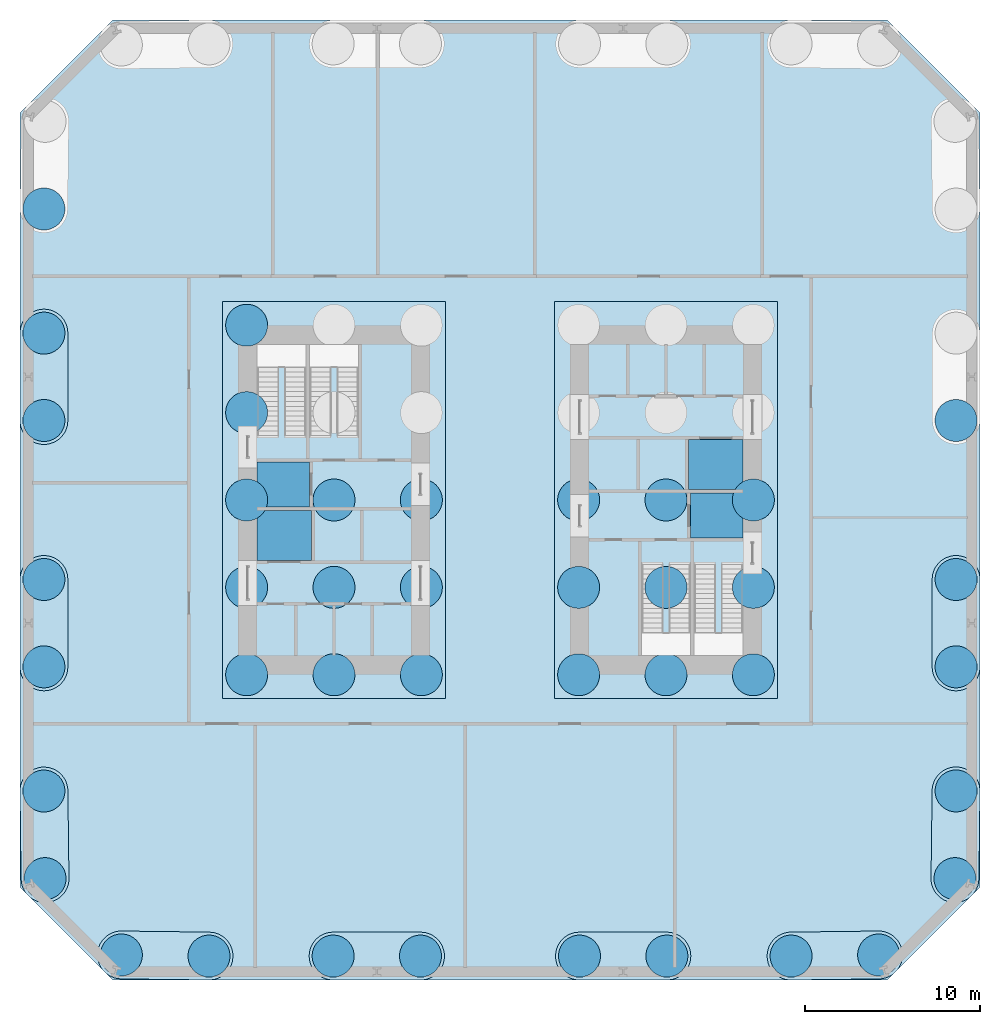
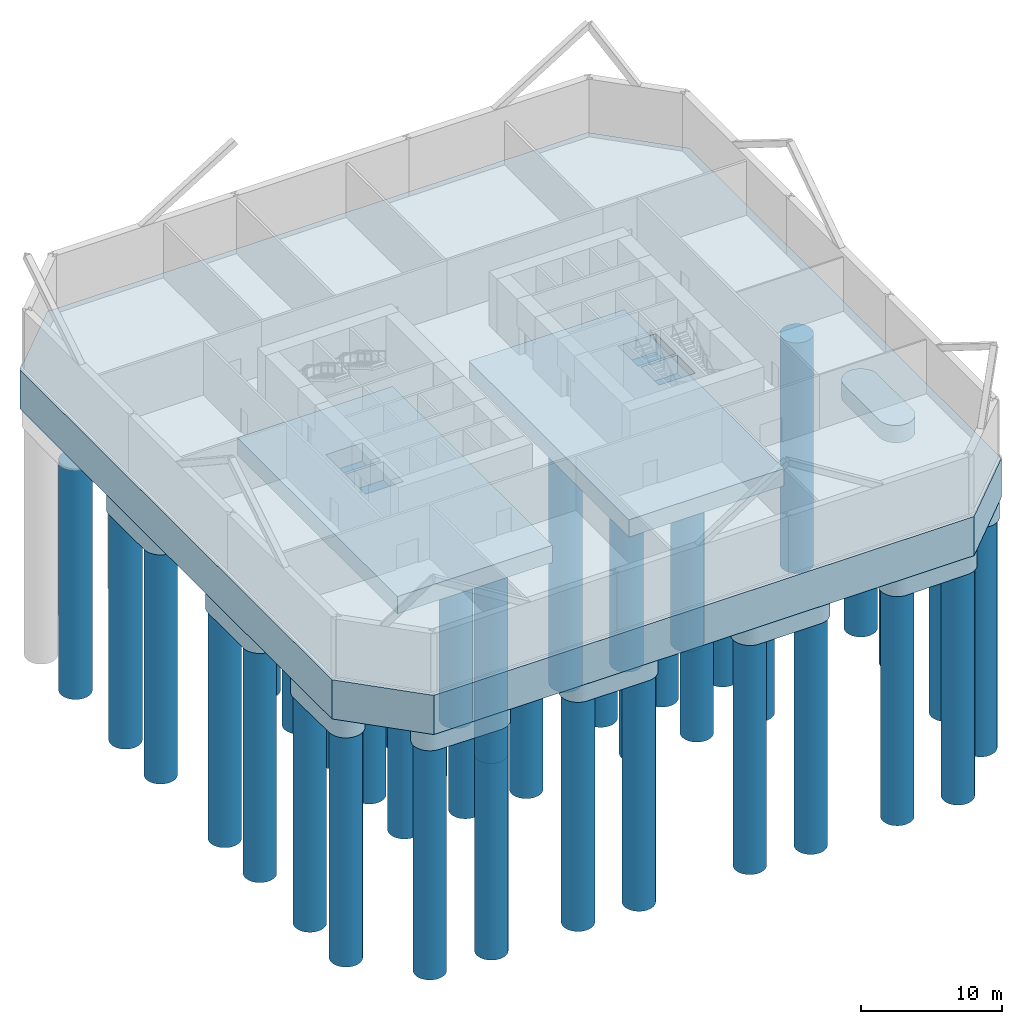
# One storey, part 1 of 7: 40 piles, 16 footings.
"""IFC4 building model written with IfcOpenShell, lengths in metres."""

from ifc_helpers import new_model, si_unit, direction, frame, origin, origin_2d, place, context, subcontext, project, spatial, polyline, circle, outline, extrude, material, layer, layer_set, material_profile, profile_set, type_object, element, save


model = new_model("IFC4")

# Units and contexts
model_context = context("Model", 3, precision=1e-05, world=origin(), true_north=direction((0.0, 1.0)))
body_context = subcontext(model_context, "Body", "Model", "MODEL_VIEW")
ifc_project = project(units=[si_unit("LENGTHUNIT", "METRE"), si_unit("AREAUNIT", "SQUARE_METRE"), si_unit("VOLUMEUNIT", "CUBIC_METRE"), si_unit("PLANEANGLEUNIT", "RADIAN"), si_unit("MASSUNIT", "GRAM", prefix="KILO")], contexts=[model_context])

# Site, building, storey
site_placement = place(None, origin())
site = spatial("IfcSite", under=ifc_project, at=site_placement, CompositionType="ELEMENT")
building_placement = place(site_placement, origin())
building = spatial("IfcBuilding", under=site, at=building_placement, Name="Millrace Tower", CompositionType="ELEMENT")
storey_placement = place(building_placement, frame((0.0, 0.0, -10.0)))
storey = spatial("IfcBuildingStorey", under=building, at=storey_placement, Name="B2", CompositionType="ELEMENT", Elevation=-10.0)

# Piles
ifc_material_1 = material(Name="Concrete C35", Category="concrete")
ifc_material_profile = material_profile(ifc_material_1, circle(Radius=1.199951171875, at=origin_2d()))
ifc_profile_set = profile_set([ifc_material_profile], Name="Concrete C35")
pile_type = type_object("IfcPileType", Name="Bored pile 2400", PredefinedType="BORED", material=ifc_profile_set)
for number, where, z_axis, x_axis, name in (
    (1, (-26.037109375, -21.66845703125, -5.10009765625), (0.0, 0.0, -1.0), (1.0, 0.0, 0.0), "PL-BASE-B2-A-01-1"),
    (2, (-26.10009765625, -16.655517578125, -5.10009765625), (0.0, 0.0, -1.0), (1.0, 0.0, 0.0), "PL-BASE-B2-A-01-2"),
    (3, (-21.66845703125, -26.037109375, -5.10009765625), (0.0, 0.0, -1.0), (1.0, 0.0, 0.0), "PL-BASE-B2-A-02-1"),
    (4, (-16.652587890625, -26.10009765625, -5.10009765625), (0.0, 0.0, -1.0), (1.0, 0.0, 0.0), "PL-BASE-B2-A-02-2"),
    (5, (-9.550048828125, -26.10009765625, -5.10009765625), (0.0, 0.0, -1.0), (1.0, 0.0, 0.0), "PL-BASE-B2-A-03-1"),
    (6, (-4.550048828125, -26.10009765625, -5.10009765625), (0.0, 0.0, -1.0), (1.0, 0.0, 0.0), "PL-BASE-B2-A-03-2"),
    (7, (4.550048828125, -26.10009765625, -5.10009765625), (0.0, 0.0, -1.0), (1.0, 0.0, 0.0), "PL-BASE-B2-A-04-1"),
    (8, (9.550048828125, -26.10009765625, -5.10009765625), (0.0, 0.0, -1.0), (1.0, 0.0, 0.0), "PL-BASE-B2-A-04-2"),
    (9, (21.66845703125, -26.037109375, -5.10009765625), (0.0, 0.0, -1.0), (1.0, 0.0, 0.0), "PL-BASE-B2-A-05-1"),
    (10, (16.657470703125, -26.10009765625, -5.10009765625), (0.0, 0.0, -1.0), (1.0, 0.0, 0.0), "PL-BASE-B2-A-05-2"),
    (11, (26.037109375, -21.66845703125, -5.10009765625), (0.0, 0.0, -1.0), (1.0, 0.0, 0.0), "PL-BASE-B2-A-06-1"),
    (12, (26.10009765625, -16.64990234375, -5.10009765625), (0.0, 0.0, -1.0), (1.0, 0.0, 0.0), "PL-BASE-B2-A-06-2"),
    (13, (26.10009765625, -9.550048828125, -5.10009765625), (0.0, 0.0, -1.0), (1.0, 0.0, 0.0), "PL-BASE-B2-A-07-1"),
    (14, (26.10009765625, -4.550048828125, -5.10009765625), (0.0, 0.0, -1.0), (1.0, 0.0, 0.0), "PL-BASE-B2-A-07-2"),
    (15, (26.10009765625, 4.550048828125, -5.10009765625), (0.0, 0.0, -1.0), (1.0, 0.0, 0.0), "PL-BASE-B2-A-08-1"),
    (16, (-26.10009765625, 16.654296875, -5.10009765625), (0.0, 0.0, -1.0), (1.0, 0.0, 0.0), "PL-BASE-B2-A-14-2"),
    (17, (-26.10009765625, 9.550048828125, -5.10009765625), (0.0, 0.0, -1.0), (1.0, 0.0, 0.0), "PL-BASE-B2-A-15-1"),
    (18, (-26.10009765625, 4.550048828125, -5.10009765625), (0.0, 0.0, -1.0), (1.0, 0.0, 0.0), "PL-BASE-B2-A-15-2"),
    (19, (-26.10009765625, -4.550048828125, -5.10009765625), (0.0, 0.0, -1.0), (1.0, 0.0, 0.0), "PL-BASE-B2-A-16-1"),
    (20, (-26.10009765625, -9.550048828125, -5.10009765625), (0.0, 0.0, -1.0), (1.0, 0.0, 0.0), "PL-BASE-B2-A-16-2"),
    (21, (-14.5, -10.0, -5.10009765625), (0.0, 0.0, -1.0), (1.0, 0.0, 0.0), "PL-BASE-B2-CW-00"),
    (22, (-14.5, -5.0, -5.10009765625), (0.0, 0.0, -1.0), (1.0, 0.0, 0.0), "PL-BASE-B2-CW-01"),
    (23, (-14.5, 0.0, -5.10009765625), (0.0, 0.0, -1.0), (1.0, 0.0, 0.0), "PL-BASE-B2-CW-02"),
    (24, (-14.5, 5.0, -5.10009765625), (0.0, 0.0, -1.0), (1.0, 0.0, 0.0), "PL-BASE-B2-CW-03"),
    (25, (-14.5, 10.0, -5.10009765625), (0.0, 0.0, -1.0), (1.0, 0.0, 0.0), "PL-BASE-B2-CW-04"),
    (26, (-9.5, -10.0, -5.10009765625), (0.0, 0.0, -1.0), (1.0, 0.0, 0.0), "PL-BASE-B2-CW-10"),
    (27, (-9.5, -5.0, -5.10009765625), (0.0, 0.0, -1.0), (1.0, 0.0, 0.0), "PL-BASE-B2-CW-11"),
    (28, (-9.5, 0.0, -5.10009765625), (0.0, 0.0, -1.0), (1.0, 0.0, 0.0), "PL-BASE-B2-CW-12"),
    (29, (-4.5, -10.0, -5.10009765625), (0.0, 0.0, -1.0), (1.0, 0.0, 0.0), "PL-BASE-B2-CW-20"),
    (30, (-4.5, -5.0, -5.10009765625), (0.0, 0.0, -1.0), (1.0, 0.0, 0.0), "PL-BASE-B2-CW-21"),
    (31, (-4.5, 0.0, -5.10009765625), (0.0, 0.0, -1.0), (1.0, 0.0, 0.0), "PL-BASE-B2-CW-22"),
    (32, (4.5, -10.0, -5.10009765625), (0.0, 0.0, -1.0), (1.0, 0.0, 0.0), "PL-BASE-B2-CE-00"),
    (33, (4.5, -5.0, -5.10009765625), (0.0, 0.0, -1.0), (1.0, 0.0, 0.0), "PL-BASE-B2-CE-01"),
    (34, (4.5, 0.0, -5.10009765625), (0.0, 0.0, -1.0), (1.0, 0.0, 0.0), "PL-BASE-B2-CE-02"),
    (35, (9.5, -10.0, -5.10009765625), (0.0, 0.0, -1.0), (1.0, 0.0, 0.0), "PL-BASE-B2-CE-10"),
    (36, (9.5, -5.0, -5.10009765625), (0.0, 0.0, -1.0), (1.0, 0.0, 0.0), "PL-BASE-B2-CE-11"),
    (37, (9.5, 0.0, -5.10009765625), (0.0, 0.0, -1.0), (1.0, 0.0, 0.0), "PL-BASE-B2-CE-12"),
    (38, (14.5, -10.0, -5.10009765625), (0.0, 0.0, -1.0), (1.0, 0.0, 0.0), "PL-BASE-B2-CE-20"),
    (39, (14.5, -5.0, -5.10009765625), (0.0, 0.0, -1.0), (1.0, 0.0, 0.0), "PL-BASE-B2-CE-21"),
    (40, (14.5, 0.0, -5.10009765625), (0.0, 0.0, -1.0), (1.0, 0.0, 0.0), "PL-BASE-B2-CE-22"),
):
    element("IfcPile", number, at=place(storey_placement, frame(where, z_axis=z_axis, x_axis=x_axis)), inside=storey, type_object=pile_type, Name=name, PredefinedType="BORED", context=body_context, shape_type="SweptSolid", body=[
        extrude(circle(Radius=1.199951171875, at=origin_2d()), origin(), (0.0, 0.0, 1.0), 20.0),
    ])

# Footings
ifc_material_2 = material(Name="Concrete C45", Category="concrete")
ifc_layer_1 = layer(ifc_material_2, 3.39990234375)
ifc_layer_set_1 = layer_set([ifc_layer_1], Name="Concrete C45")
footing_type_1 = type_object("IfcFootingType", Name="Mat foundation 3400 mm", PredefinedType="PAD_FOOTING", material=ifc_layer_set_1)
placement_1 = place(storey_placement, frame((0.0, 0.0, -3.60009765625)))
element("IfcFooting", 41, at=placement_1, inside=storey, type_object=footing_type_1, Name="FT-BASE-B2-MAT", PredefinedType="PAD_FOOTING", context=body_context, shape_type="SweptSolid", body=[
    extrude(outline(polyline([(-27.469970703125, -22.173095703125), (-22.173095703125, -27.469970703125), (22.173095703125, -27.469970703125), (27.469970703125, -22.173095703125), (27.469970703125, 22.173095703125), (22.173095703125, 27.469970703125), (-22.173095703125, 27.469970703125), (-27.469970703125, 22.173095703125), (-27.469970703125, -22.173095703125)]), holes=[polyline([(-13.89990234375, -3.449951171875), (-10.800048828125, -3.449951171875), (-10.800048828125, -0.60009765625), (-13.89990234375, -0.60009765625), (-13.89990234375, -3.449951171875)]), polyline([(-13.89990234375, -0.39990234375), (-10.89990234375, -0.39990234375), (-10.89990234375, 2.179931640625), (-13.89990234375, 2.179931640625), (-13.89990234375, -0.39990234375)]), polyline([(10.800048828125, 0.60009765625), (13.89990234375, 0.60009765625), (13.89990234375, 3.449951171875), (10.800048828125, 3.449951171875), (10.800048828125, 0.60009765625)]), polyline([(10.89990234375, -2.179931640625), (13.89990234375, -2.179931640625), (13.89990234375, 0.39990234375), (10.89990234375, 0.39990234375), (10.89990234375, -2.179931640625)])]), origin(), (0.0, 0.0, 1.0), 3.400146484375),
])
ifc_material_3 = material(Name="Concrete C45", Category="concrete")
ifc_layer_2 = layer(ifc_material_3, 1.800048828125)
ifc_layer_set_2 = layer_set([ifc_layer_2], Name="Concrete C45")
footing_type_2 = type_object("IfcFootingType", Name="Mat foundation lift pit floor 1800 mm", PredefinedType="PAD_FOOTING", material=ifc_layer_set_2)
element("IfcFooting", 42, at=placement_1, inside=storey, type_object=footing_type_2, Name="FT-BASE-B2-PIT-W-SV", PredefinedType="PAD_FOOTING", context=body_context, shape_type="SweptSolid", body=[
    extrude(outline(polyline([(-13.89990234375, -3.449951171875), (-10.800048828125, -3.449951171875), (-10.800048828125, -0.60009765625), (-13.89990234375, -0.60009765625), (-13.89990234375, -3.449951171875)])), origin(), (0.0, 0.0, 1.0), 1.800048828125),
])
element("IfcFooting", 43, at=placement_1, inside=storey, type_object=footing_type_2, Name="FT-BASE-B2-PIT-W-FS", PredefinedType="PAD_FOOTING", context=body_context, shape_type="SweptSolid", body=[
    extrude(outline(polyline([(-13.89990234375, -0.39990234375), (-10.89990234375, -0.39990234375), (-10.89990234375, 2.179931640625), (-13.89990234375, 2.179931640625), (-13.89990234375, -0.39990234375)])), origin(), (0.0, 0.0, 1.0), 1.800048828125),
])
element("IfcFooting", 44, at=placement_1, inside=storey, type_object=footing_type_2, Name="FT-BASE-B2-PIT-E-SV", PredefinedType="PAD_FOOTING", context=body_context, shape_type="SweptSolid", body=[
    extrude(outline(polyline([(10.800048828125, 0.60009765625), (13.89990234375, 0.60009765625), (13.89990234375, 3.449951171875), (10.800048828125, 3.449951171875), (10.800048828125, 0.60009765625)])), origin(), (0.0, 0.0, 1.0), 1.800048828125),
])
element("IfcFooting", 45, at=placement_1, inside=storey, type_object=footing_type_2, Name="FT-BASE-B2-PIT-E-FS", PredefinedType="PAD_FOOTING", context=body_context, shape_type="SweptSolid", body=[
    extrude(outline(polyline([(10.89990234375, -2.179931640625), (13.89990234375, -2.179931640625), (13.89990234375, 0.39990234375), (10.89990234375, 0.39990234375), (10.89990234375, -2.179931640625)])), origin(), (0.0, 0.0, 1.0), 1.800048828125),
])
ifc_material_4 = material(Name="Concrete C45", Category="concrete")
ifc_layer_3 = layer(ifc_material_4, 1.5)
ifc_layer_set_3 = layer_set([ifc_layer_3], Name="Concrete C45")
footing_type_3 = type_object("IfcFootingType", Name="Pile cap 1500 mm", PredefinedType="PILE_CAP", material=ifc_layer_set_3)
placement_2 = place(storey_placement, frame((0.0, 0.0, -5.10009765625)))
element("IfcFooting", 46, at=placement_2, inside=storey, type_object=footing_type_3, Name="FT-BASE-B2-PC01", PredefinedType="PILE_CAP", context=body_context, shape_type="SweptSolid", body=[
    extrude(outline(polyline([(-24.77099609375, -9.8828125), (-24.834228515625, -10.07421875), (-24.891845703125, -10.19580078125), (-24.9609375, -10.31103515625), (-25.0849609375, -10.469970703125), (-25.23095703125, -10.609130859375), (-25.395751953125, -10.72509765625), (-25.51416015625, -10.78857421875), (-25.638427734375, -10.83984375), (-25.76708984375, -10.87890625), (-25.89892578125, -10.9052734375), (-26.10009765625, -10.919921875), (-26.301025390625, -10.9052734375), (-26.432861328125, -10.87890625), (-26.5615234375, -10.83984375), (-26.685791015625, -10.78857421875), (-26.80419921875, -10.72509765625), (-26.96923828125, -10.609130859375), (-27.114990234375, -10.469970703125), (-27.239013671875, -10.31103515625), (-27.308349609375, -10.19580078125), (-27.36572265625, -10.07421875), (-27.428955078125, -9.8828125), (-27.455078125, -9.7509765625), (-27.469970703125, -9.550048828125), (-27.469970703125, -4.550048828125), (-27.455078125, -4.348876953125), (-27.410888671875, -4.15234375), (-27.33837890625, -3.96435546875), (-27.239013671875, -3.788818359375), (-27.114990234375, -3.6298828125), (-26.96923828125, -3.490966796875), (-26.80419921875, -3.375), (-26.624267578125, -3.2841796875), (-26.432861328125, -3.220947265625), (-26.301025390625, -3.19482421875), (-26.167236328125, -3.181640625), (-26.03271484375, -3.181640625), (-25.89892578125, -3.19482421875), (-25.76708984375, -3.220947265625), (-25.638427734375, -3.260009765625), (-25.51416015625, -3.3115234375), (-25.395751953125, -3.375), (-25.283935546875, -3.44970703125), (-25.179931640625, -3.534912109375), (-25.0849609375, -3.6298828125), (-24.99951171875, -3.73388671875), (-24.9248046875, -3.845703125), (-24.861572265625, -3.96435546875), (-24.81005859375, -4.08837890625), (-24.77099609375, -4.217041015625), (-24.744873046875, -4.348876953125), (-24.72998046875, -4.550048828125), (-24.72998046875, -9.550048828125), (-24.744873046875, -9.7509765625), (-24.77099609375, -9.8828125)])), origin(), (0.0, 0.0, 1.0), 1.5),
])
element("IfcFooting", 47, at=placement_2, inside=storey, type_object=footing_type_3, Name="FT-BASE-B2-PC02", PredefinedType="PILE_CAP", context=body_context, shape_type="SweptSolid", body=[
    extrude(outline(polyline([(-24.77099609375, 4.217041015625), (-24.834228515625, 4.025634765625), (-24.891845703125, 3.904296875), (-24.9609375, 3.788818359375), (-25.0849609375, 3.6298828125), (-25.23095703125, 3.490966796875), (-25.395751953125, 3.375), (-25.51416015625, 3.3115234375), (-25.638427734375, 3.260009765625), (-25.832763671875, 3.206298828125), (-25.9658203125, 3.1865234375), (-26.10009765625, 3.179931640625), (-26.234375, 3.1865234375), (-26.3671875, 3.206298828125), (-26.5615234375, 3.260009765625), (-26.685791015625, 3.3115234375), (-26.80419921875, 3.375), (-26.96923828125, 3.490966796875), (-27.114990234375, 3.6298828125), (-27.239013671875, 3.788818359375), (-27.308349609375, 3.904296875), (-27.36572265625, 4.025634765625), (-27.428955078125, 4.217041015625), (-27.455078125, 4.348876953125), (-27.469970703125, 4.550048828125), (-27.469970703125, 9.550048828125), (-27.455078125, 9.7509765625), (-27.410888671875, 9.94775390625), (-27.33837890625, 10.1357421875), (-27.239013671875, 10.31103515625), (-27.114990234375, 10.469970703125), (-26.96923828125, 10.609130859375), (-26.80419921875, 10.72509765625), (-26.624267578125, 10.815673828125), (-26.432861328125, 10.87890625), (-26.301025390625, 10.9052734375), (-26.167236328125, 10.91845703125), (-26.03271484375, 10.91845703125), (-25.89892578125, 10.9052734375), (-25.76708984375, 10.87890625), (-25.638427734375, 10.83984375), (-25.51416015625, 10.78857421875), (-25.395751953125, 10.72509765625), (-25.283935546875, 10.650390625), (-25.179931640625, 10.565185546875), (-25.0849609375, 10.469970703125), (-24.99951171875, 10.3662109375), (-24.9248046875, 10.25439453125), (-24.861572265625, 10.1357421875), (-24.81005859375, 10.011474609375), (-24.77099609375, 9.8828125), (-24.744873046875, 9.7509765625), (-24.72998046875, 9.550048828125), (-24.72998046875, 4.550048828125), (-24.744873046875, 4.348876953125), (-24.77099609375, 4.217041015625)])), origin(), (0.0, 0.0, 1.0), 1.5),
])
element("IfcFooting", 48, at=placement_2, inside=storey, type_object=footing_type_3, Name="FT-BASE-B2-PC03", PredefinedType="PILE_CAP", context=body_context, shape_type="SweptSolid", body=[
    extrude(outline(polyline([(-27.43310546875, -16.33935546875), (-27.372314453125, -16.147216796875), (-27.283935546875, -15.966064453125), (-27.21044921875, -15.853515625), (-27.12646484375, -15.74853515625), (-26.982421875, -15.607666015625), (-26.87548828125, -15.526123046875), (-26.760986328125, -15.45556640625), (-26.57763671875, -15.37158203125), (-26.384033203125, -15.3154296875), (-26.25146484375, -15.2939453125), (-26.1171875, -15.28564453125), (-25.916015625, -15.298095703125), (-25.783935546875, -15.322509765625), (-25.65478515625, -15.360107421875), (-25.52978515625, -15.409912109375), (-25.410400390625, -15.4716796875), (-25.244140625, -15.585693359375), (-25.096435546875, -15.722900390625), (-24.970458984375, -15.88037109375), (-24.89990234375, -15.99462890625), (-24.841064453125, -16.115478515625), (-24.775390625, -16.30615234375), (-24.73828125, -16.504150390625), (-24.730224609375, -16.638427734375), (-24.667236328125, -21.6513671875), (-24.679443359375, -21.8525390625), (-24.72119140625, -22.0498046875), (-24.791259765625, -22.23876953125), (-24.888427734375, -22.415283203125), (-25.010498046875, -22.57568359375), (-25.15478515625, -22.716552734375), (-25.318115234375, -22.834716796875), (-25.496826171875, -22.927490234375), (-25.6875, -22.9931640625), (-25.819091796875, -23.02099609375), (-25.95263671875, -23.035888671875), (-26.087158203125, -23.03759765625), (-26.220947265625, -23.026123046875), (-26.353271484375, -23.001708984375), (-26.482421875, -22.964111328125), (-26.607177734375, -22.914306640625), (-26.7265625, -22.852294921875), (-26.83935546875, -22.779052734375), (-26.9443359375, -22.695068359375), (-27.04052734375, -22.601318359375), (-27.127197265625, -22.49853515625), (-27.203125, -22.3876953125), (-27.26806640625, -22.269775390625), (-27.321044921875, -22.146240234375), (-27.36181640625, -22.01806640625), (-27.3896484375, -21.886474609375), (-27.406982421875, -21.685791015625), (-27.469970703125, -16.6728515625), (-27.45751953125, -16.4716796875), (-27.43310546875, -16.33935546875)])), origin(), (0.0, 0.0, 1.0), 1.5),
])
element("IfcFooting", 49, at=placement_2, inside=storey, type_object=footing_type_3, Name="FT-BASE-B2-PC05", PredefinedType="PILE_CAP", context=body_context, shape_type="SweptSolid", body=[
    extrude(outline(polyline([(-16.302978515625, -24.775390625), (-16.1748046875, -24.81591796875), (-16.05126953125, -24.868896484375), (-15.877197265625, -24.970458984375), (-15.770263671875, -25.052001953125), (-15.671875, -25.1435546875), (-15.5419921875, -25.2978515625), (-15.436279296875, -25.469482421875), (-15.35693359375, -25.65478515625), (-15.3056640625, -25.849609375), (-15.28759765625, -25.98291015625), (-15.28271484375, -26.1171875), (-15.300048828125, -26.318115234375), (-15.327880859375, -26.449462890625), (-15.36865234375, -26.57763671875), (-15.421630859375, -26.701171875), (-15.486328125, -26.819091796875), (-15.6044921875, -26.982421875), (-15.745361328125, -27.12646484375), (-15.90576171875, -27.24853515625), (-16.02197265625, -27.316162109375), (-16.144287109375, -27.372314453125), (-16.33642578125, -27.43310546875), (-16.535400390625, -27.465087890625), (-16.669677734375, -27.469970703125), (-21.685791015625, -27.406982421875), (-21.886474609375, -27.3896484375), (-22.082763671875, -27.343017578125), (-22.269775390625, -27.26806640625), (-22.44384765625, -27.16650390625), (-22.601318359375, -27.04052734375), (-22.738525390625, -26.892822265625), (-22.852294921875, -26.7265625), (-22.940673828125, -26.54541015625), (-23.001708984375, -26.353271484375), (-23.026123046875, -26.220947265625), (-23.03759765625, -26.087158203125), (-23.035888671875, -25.95263671875), (-23.021240234375, -25.819091796875), (-22.9931640625, -25.6875), (-22.95263671875, -25.559326171875), (-22.899658203125, -25.435791015625), (-22.834716796875, -25.318115234375), (-22.758544921875, -25.207275390625), (-22.672119140625, -25.104248046875), (-22.57568359375, -25.010498046875), (-22.470703125, -24.926513671875), (-22.358154296875, -24.853271484375), (-22.23876953125, -24.791259765625), (-22.114013671875, -24.741455078125), (-21.98486328125, -24.7041015625), (-21.8525390625, -24.679443359375), (-21.6513671875, -24.667236328125), (-16.635498046875, -24.730224609375), (-16.4345703125, -24.74755859375), (-16.302978515625, -24.775390625)])), origin(), (0.0, 0.0, 1.0), 1.5),
])
element("IfcFooting", 50, at=placement_2, inside=storey, type_object=footing_type_3, Name="FT-BASE-B2-PC07", PredefinedType="PILE_CAP", context=body_context, shape_type="SweptSolid", body=[
    extrude(outline(polyline([(-15.8701171875, -11.3701171875), (-15.8701171875, 11.3701171875), (-3.1298828125, 11.3701171875), (-3.1298828125, -11.3701171875), (-15.8701171875, -11.3701171875)])), origin(), (0.0, 0.0, 1.0), 1.5),
])
element("IfcFooting", 51, at=placement_2, inside=storey, type_object=footing_type_3, Name="FT-BASE-B2-PC08", PredefinedType="PILE_CAP", context=body_context, shape_type="SweptSolid", body=[
    extrude(outline(polyline([(-4.217041015625, -24.77099609375), (-4.025634765625, -24.834228515625), (-3.904296875, -24.891845703125), (-3.788818359375, -24.9609375), (-3.6298828125, -25.0849609375), (-3.490966796875, -25.23095703125), (-3.375, -25.395751953125), (-3.3115234375, -25.51416015625), (-3.260009765625, -25.638427734375), (-3.206298828125, -25.832763671875), (-3.1865234375, -25.9658203125), (-3.179931640625, -26.10009765625), (-3.1865234375, -26.234375), (-3.206298828125, -26.3671875), (-3.260009765625, -26.5615234375), (-3.3115234375, -26.685791015625), (-3.375, -26.80419921875), (-3.490966796875, -26.96923828125), (-3.6298828125, -27.114990234375), (-3.788818359375, -27.239013671875), (-3.904296875, -27.308349609375), (-4.025634765625, -27.36572265625), (-4.217041015625, -27.428955078125), (-4.348876953125, -27.455078125), (-4.550048828125, -27.469970703125), (-9.550048828125, -27.469970703125), (-9.7509765625, -27.455078125), (-9.94775390625, -27.410888671875), (-10.1357421875, -27.33837890625), (-10.31103515625, -27.239013671875), (-10.469970703125, -27.114990234375), (-10.609130859375, -26.96923828125), (-10.72509765625, -26.80419921875), (-10.815673828125, -26.624267578125), (-10.87890625, -26.432861328125), (-10.9052734375, -26.301025390625), (-10.91845703125, -26.167236328125), (-10.91845703125, -26.03271484375), (-10.9052734375, -25.89892578125), (-10.87890625, -25.76708984375), (-10.83984375, -25.638427734375), (-10.78857421875, -25.51416015625), (-10.72509765625, -25.395751953125), (-10.650390625, -25.283935546875), (-10.565185546875, -25.179931640625), (-10.469970703125, -25.0849609375), (-10.3662109375, -24.99951171875), (-10.25439453125, -24.9248046875), (-10.1357421875, -24.861572265625), (-10.011474609375, -24.81005859375), (-9.8828125, -24.77099609375), (-9.7509765625, -24.744873046875), (-9.550048828125, -24.72998046875), (-4.550048828125, -24.72998046875), (-4.348876953125, -24.744873046875), (-4.217041015625, -24.77099609375)])), origin(), (0.0, 0.0, 1.0), 1.5),
])
element("IfcFooting", 52, at=placement_2, inside=storey, type_object=footing_type_3, Name="FT-BASE-B2-PC10", PredefinedType="PILE_CAP", context=body_context, shape_type="SweptSolid", body=[
    extrude(outline(polyline([(9.8828125, -24.77099609375), (10.07421875, -24.834228515625), (10.19580078125, -24.891845703125), (10.31103515625, -24.9609375), (10.469970703125, -25.0849609375), (10.609130859375, -25.23095703125), (10.72509765625, -25.395751953125), (10.78857421875, -25.51416015625), (10.83984375, -25.638427734375), (10.87890625, -25.76708984375), (10.9052734375, -25.89892578125), (10.919921875, -26.10009765625), (10.9052734375, -26.301025390625), (10.87890625, -26.432861328125), (10.83984375, -26.5615234375), (10.78857421875, -26.685791015625), (10.72509765625, -26.80419921875), (10.609130859375, -26.96923828125), (10.469970703125, -27.114990234375), (10.31103515625, -27.239013671875), (10.19580078125, -27.308349609375), (10.07421875, -27.36572265625), (9.8828125, -27.428955078125), (9.7509765625, -27.455078125), (9.550048828125, -27.469970703125), (4.550048828125, -27.469970703125), (4.348876953125, -27.455078125), (4.15234375, -27.410888671875), (3.96435546875, -27.33837890625), (3.788818359375, -27.239013671875), (3.6298828125, -27.114990234375), (3.490966796875, -26.96923828125), (3.375, -26.80419921875), (3.2841796875, -26.624267578125), (3.220947265625, -26.432861328125), (3.19482421875, -26.301025390625), (3.181640625, -26.167236328125), (3.181640625, -26.03271484375), (3.19482421875, -25.89892578125), (3.220947265625, -25.76708984375), (3.260009765625, -25.638427734375), (3.3115234375, -25.51416015625), (3.375, -25.395751953125), (3.44970703125, -25.283935546875), (3.534912109375, -25.179931640625), (3.6298828125, -25.0849609375), (3.73388671875, -24.99951171875), (3.845703125, -24.9248046875), (3.96435546875, -24.861572265625), (4.08837890625, -24.81005859375), (4.217041015625, -24.77099609375), (4.348876953125, -24.744873046875), (4.550048828125, -24.72998046875), (9.550048828125, -24.72998046875), (9.7509765625, -24.744873046875), (9.8828125, -24.77099609375)])), origin(), (0.0, 0.0, 1.0), 1.5),
])
element("IfcFooting", 53, at=placement_2, inside=storey, type_object=footing_type_3, Name="FT-BASE-B2-PC12", PredefinedType="PILE_CAP", context=body_context, shape_type="SweptSolid", body=[
    extrude(outline(polyline([(3.1298828125, -11.3701171875), (3.1298828125, 11.3701171875), (15.8701171875, 11.3701171875), (15.8701171875, -11.3701171875), (3.1298828125, -11.3701171875)])), origin(), (0.0, 0.0, 1.0), 1.5),
])
element("IfcFooting", 54, at=placement_2, inside=storey, type_object=footing_type_3, Name="FT-BASE-B2-PC13", PredefinedType="PILE_CAP", context=body_context, shape_type="SweptSolid", body=[
    extrude(outline(polyline([(16.34130859375, -27.43310546875), (16.149169921875, -27.372314453125), (16.02685546875, -27.316162109375), (15.91064453125, -27.24853515625), (15.8017578125, -27.169921875), (15.700927734375, -27.080810546875), (15.5673828125, -26.929931640625), (15.4912109375, -26.819091796875), (15.426513671875, -26.701171875), (15.3515625, -26.51416015625), (15.304931640625, -26.318115234375), (15.28759765625, -26.1171875), (15.29248046875, -25.98291015625), (15.310546875, -25.849609375), (15.36181640625, -25.65478515625), (15.41162109375, -25.52978515625), (15.4736328125, -25.410400390625), (15.587646484375, -25.244140625), (15.724609375, -25.096435546875), (15.82763671875, -25.010009765625), (15.9384765625, -24.933837890625), (16.1171875, -24.841064453125), (16.307861328125, -24.775390625), (16.506103515625, -24.73828125), (16.64013671875, -24.730224609375), (21.6513671875, -24.667236328125), (21.8525390625, -24.679443359375), (22.0498046875, -24.72119140625), (22.23876953125, -24.791259765625), (22.415283203125, -24.888427734375), (22.57568359375, -25.010498046875), (22.716552734375, -25.15478515625), (22.834716796875, -25.318115234375), (22.927490234375, -25.496826171875), (22.9931640625, -25.6875), (23.02099609375, -25.819091796875), (23.035888671875, -25.95263671875), (23.03759765625, -26.087158203125), (23.026123046875, -26.220947265625), (23.001708984375, -26.353271484375), (22.964111328125, -26.482421875), (22.914306640625, -26.607177734375), (22.8525390625, -26.7265625), (22.779052734375, -26.83935546875), (22.695068359375, -26.9443359375), (22.601318359375, -27.04052734375), (22.49853515625, -27.127197265625), (22.3876953125, -27.203125), (22.269775390625, -27.26806640625), (22.146240234375, -27.321044921875), (22.01806640625, -27.36181640625), (21.820068359375, -27.398681640625), (21.685791015625, -27.406982421875), (16.674560546875, -27.469970703125), (16.473388671875, -27.45751953125), (16.34130859375, -27.43310546875)])), origin(), (0.0, 0.0, 1.0), 1.5),
])
element("IfcFooting", 55, at=placement_2, inside=storey, type_object=footing_type_3, Name="FT-BASE-B2-PC15", PredefinedType="PILE_CAP", context=body_context, shape_type="SweptSolid", body=[
    extrude(outline(polyline([(24.775390625, -16.30029296875), (24.81591796875, -16.172119140625), (24.868896484375, -16.048583984375), (24.970458984375, -15.87451171875), (25.096435546875, -15.717041015625), (25.244140625, -15.580078125), (25.353271484375, -15.501220703125), (25.469482421875, -15.43359375), (25.65478515625, -15.354248046875), (25.78369140625, -15.31689453125), (25.916015625, -15.292236328125), (26.1171875, -15.280029296875), (26.318115234375, -15.29736328125), (26.51416015625, -15.343994140625), (26.701171875, -15.418701171875), (26.819091796875, -15.483642578125), (26.929931640625, -15.559814453125), (27.080810546875, -15.693359375), (27.169921875, -15.794189453125), (27.24853515625, -15.903076171875), (27.316162109375, -16.019287109375), (27.3720703125, -16.1416015625), (27.43310546875, -16.333740234375), (27.465087890625, -16.53271484375), (27.469970703125, -16.6669921875), (27.406982421875, -21.685791015625), (27.3896484375, -21.886474609375), (27.343017578125, -22.082763671875), (27.26806640625, -22.269775390625), (27.16650390625, -22.44384765625), (27.04052734375, -22.601318359375), (26.892822265625, -22.738525390625), (26.7265625, -22.852294921875), (26.54541015625, -22.940673828125), (26.353271484375, -23.001708984375), (26.220947265625, -23.026123046875), (26.087158203125, -23.03759765625), (25.95263671875, -23.035888671875), (25.819091796875, -23.021240234375), (25.6875, -22.9931640625), (25.559326171875, -22.95263671875), (25.435791015625, -22.899658203125), (25.318115234375, -22.834716796875), (25.207275390625, -22.758544921875), (25.104248046875, -22.672119140625), (25.010498046875, -22.575927734375), (24.926513671875, -22.470703125), (24.853271484375, -22.358154296875), (24.791259765625, -22.23876953125), (24.741455078125, -22.114013671875), (24.7041015625, -21.98486328125), (24.679443359375, -21.8525390625), (24.667236328125, -21.6513671875), (24.730224609375, -16.632568359375), (24.73828125, -16.49853515625), (24.775390625, -16.30029296875)])), origin(), (0.0, 0.0, 1.0), 1.5),
])
element("IfcFooting", 56, at=placement_2, inside=storey, type_object=footing_type_3, Name="FT-BASE-B2-PC17", PredefinedType="PILE_CAP", context=body_context, shape_type="SweptSolid", body=[
    extrude(outline(polyline([(24.77099609375, -4.217041015625), (24.834228515625, -4.025634765625), (24.891845703125, -3.904296875), (24.9609375, -3.788818359375), (25.0849609375, -3.6298828125), (25.23095703125, -3.490966796875), (25.395751953125, -3.375), (25.51416015625, -3.3115234375), (25.638427734375, -3.260009765625), (25.832763671875, -3.206298828125), (25.9658203125, -3.1865234375), (26.10009765625, -3.179931640625), (26.234375, -3.1865234375), (26.3671875, -3.206298828125), (26.5615234375, -3.260009765625), (26.685791015625, -3.3115234375), (26.80419921875, -3.375), (26.96923828125, -3.490966796875), (27.114990234375, -3.6298828125), (27.239013671875, -3.788818359375), (27.308349609375, -3.904296875), (27.36572265625, -4.025634765625), (27.428955078125, -4.217041015625), (27.455078125, -4.348876953125), (27.469970703125, -4.550048828125), (27.469970703125, -9.550048828125), (27.455078125, -9.7509765625), (27.410888671875, -9.94775390625), (27.33837890625, -10.1357421875), (27.239013671875, -10.31103515625), (27.114990234375, -10.469970703125), (26.96923828125, -10.609130859375), (26.80419921875, -10.72509765625), (26.624267578125, -10.815673828125), (26.432861328125, -10.87890625), (26.301025390625, -10.9052734375), (26.167236328125, -10.91845703125), (26.03271484375, -10.91845703125), (25.89892578125, -10.9052734375), (25.76708984375, -10.87890625), (25.638427734375, -10.83984375), (25.51416015625, -10.78857421875), (25.395751953125, -10.72509765625), (25.283935546875, -10.650390625), (25.179931640625, -10.565185546875), (25.0849609375, -10.469970703125), (24.99951171875, -10.3662109375), (24.9248046875, -10.25439453125), (24.861572265625, -10.1357421875), (24.81005859375, -10.011474609375), (24.77099609375, -9.8828125), (24.744873046875, -9.7509765625), (24.72998046875, -9.550048828125), (24.72998046875, -4.550048828125), (24.744873046875, -4.348876953125), (24.77099609375, -4.217041015625)])), origin(), (0.0, 0.0, 1.0), 1.5),
])

save(model, "model.ifc")
